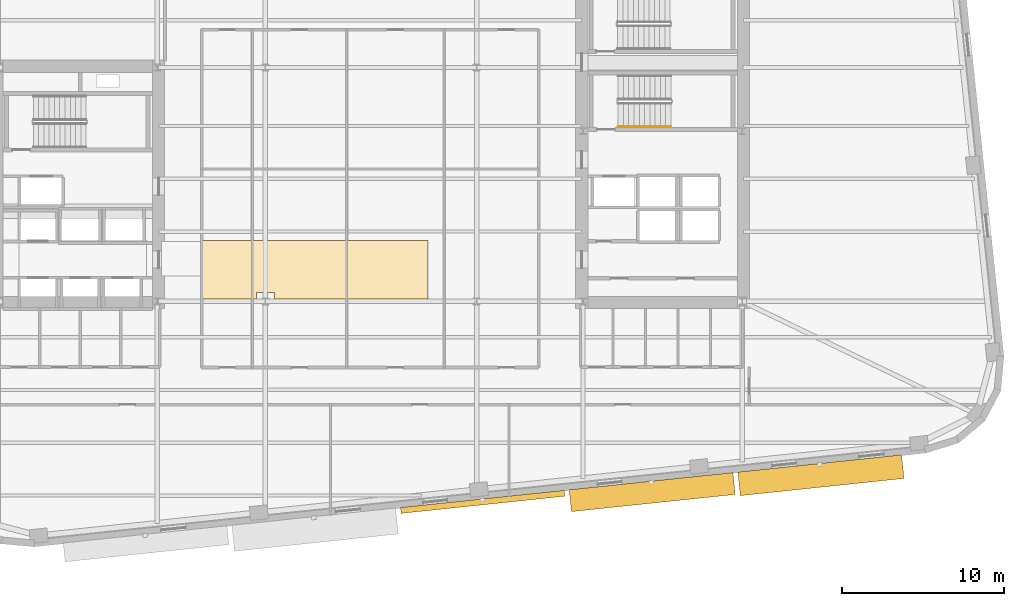
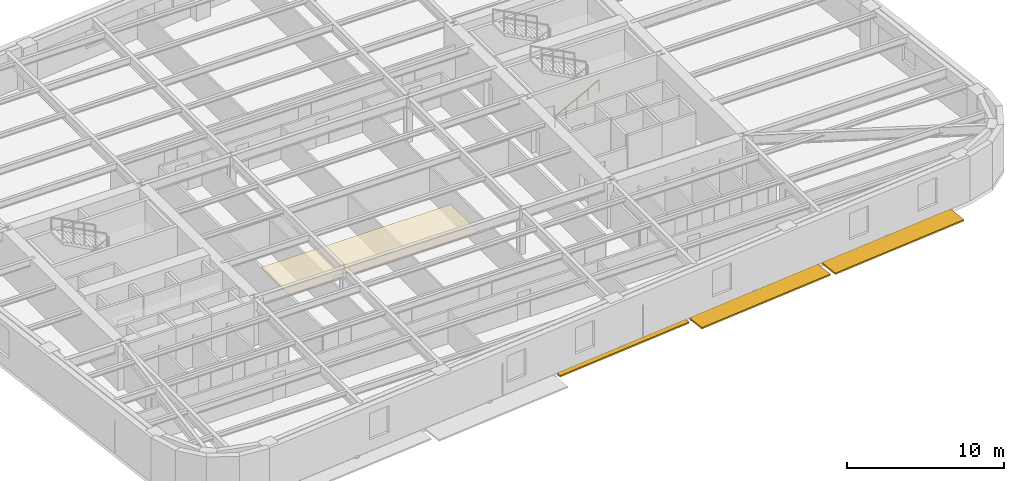
# One storey, part 10 of 12: 3 shading devices, 1 covering, 1 railing.
"""IFC4 building model written with IfcOpenShell, lengths in metres."""

from ifc_helpers import new_model, si_unit, direction, frame, origin, origin_2d, place, context, subcontext, project, spatial, polyline, rectangle, circle, outline, extrude, material, layer, layer_set, type_object, element, save


model = new_model("IFC4")

# Units and contexts
model_context = context("Model", 3, precision=1e-05, world=origin(), true_north=direction((0.0, 1.0)))
body_context = subcontext(model_context, "Body", "Model", "MODEL_VIEW")
ifc_project = project(units=[si_unit("LENGTHUNIT", "METRE"), si_unit("AREAUNIT", "SQUARE_METRE"), si_unit("VOLUMEUNIT", "CUBIC_METRE"), si_unit("PLANEANGLEUNIT", "RADIAN"), si_unit("MASSUNIT", "GRAM", prefix="KILO")], contexts=[model_context])

# Site, building, storey
site_placement = place(None, origin())
site = spatial("IfcSite", under=ifc_project, at=site_placement, CompositionType="ELEMENT")
building_placement = place(site_placement, origin())
building = spatial("IfcBuilding", under=site, at=building_placement, Name="Kolvaren Arena Tower", CompositionType="ELEMENT")
storey_placement = place(building_placement, frame((0.0, 0.0, 138.25)))
storey = spatial("IfcBuildingStorey", under=building, at=storey_placement, Name="L32", CompositionType="ELEMENT", Elevation=138.25)

# Covering
ifc_material_1 = material(Name="Mineral fibre acoustic ceiling tile", Category="gypsum")
ifc_layer = layer(ifc_material_1, 0.02490234375)
ifc_layer_set = layer_set([ifc_layer], Name="Mineral fibre acoustic ceiling tile")
covering_type = type_object("IfcCoveringType", Name="CEIL-ACT-1", PredefinedType="CEILING", material=ifc_layer_set)
covering_placement = place(storey_placement, frame((0.0, 0.0, 2.52001953125)))
element("IfcCovering", 1, at=covering_placement, inside=storey, type_object=covering_type, Name="Suspended Ceiling (L32)", PredefinedType="CEILING", context=body_context, shape_type="SweptSolid", body=[
    extrude(outline(polyline([(27.050048828125, 19.60009765625), (27.050048828125, 23.199951171875), (41.0, 23.199951171875), (41.0, 19.60009765625), (31.550048828125, 19.60009765625), (31.550048828125, 20.0), (30.449951171875, 20.0), (30.449951171875, 19.60009765625), (27.050048828125, 19.60009765625)])), origin(), (0.0, 0.0, 1.0), 0.02490234375),
])

# Railing
ifc_material_2 = material(Name="Brushed stainless steel handrail", Category="steel")
railing_type = type_object("IfcRailingType", Name="HRAIL-900", PredefinedType="HANDRAIL", material=ifc_material_2)
railing_placement = place(storey_placement, frame((52.719970703125, 30.199951171875, 0.17041015625)))
element("IfcRailing", 2, at=railing_placement, inside=storey, type_object=railing_type, Name="L32 ST-E1 stair handrail 1", PredefinedType="HANDRAIL", context=body_context, shape_type="SweptSolid", body=[
    extrude(circle(Radius=0.02392578125, at=origin_2d()), frame((0.0, 0.0, 0.8759765625), z_axis=(0.884993431791, 0.0, 0.465603506952), x_axis=(0.0, 1.0, 0.0)), (0.0, 0.0, 1.0), 3.6611328125),
    extrude(circle(Radius=0.02099609375, at=origin_2d()), origin(), (0.0, 0.0, 1.0), 0.851806640625),
    extrude(circle(Radius=0.02099609375, at=origin_2d()), frame((0.81005859375, 0.0, 0.42626953125)), (0.0, 0.0, 1.0), 0.851806640625),
    extrude(circle(Radius=0.02099609375, at=origin_2d()), frame((1.6201171875, 0.0, 0.852294921875)), (0.0, 0.0, 1.0), 0.851806640625),
    extrude(circle(Radius=0.02099609375, at=origin_2d()), frame((2.429931640625, 0.0, 1.2783203125)), (0.0, 0.0, 1.0), 0.851806640625),
    extrude(circle(Radius=0.02099609375, at=origin_2d()), frame((3.239990234375, 0.0, 1.70458984375)), (0.0, 0.0, 1.0), 0.851806640625),
])

# Shading devices
ifc_material_3 = material(Name="Architectural precast GFRC and anodised aluminium sunshade", Category="concrete")
shading_device_type_1 = type_object("IfcShadingDeviceType", Name="SHAD-SINE-A", PredefinedType="USERDEFINED", material=ifc_material_3)
shading_device_1_placement = place(storey_placement, frame((44.377685546875, 7.109619140625, -0.14013671875), z_axis=(0.0, 0.0, 1.0), x_axis=(-0.994522077803, -0.104526727499, 0.0)))
element("IfcShadingDevice", 3, at=shading_device_1_placement, inside=storey, type_object=shading_device_type_1, Name="Sinusoidal Slab-Edge Sunshade Louvre (L32)", ObjectType="LOUVRE", PredefinedType="USERDEFINED", context=body_context, shape_type="SweptSolid", body=[
    extrude(rectangle(XDim=10.139892578125, YDim=0.36669921875, at=origin_2d()), origin(), (0.0, 0.0, 1.0), 0.1201171875),
])
shading_device_type_2 = type_object("IfcShadingDeviceType", Name="SHAD-SINE-B", PredefinedType="JALOUSIE", material=ifc_material_3)
shading_device_2_placement = place(storey_placement, frame((65.200439453125, 8.747802734375, -0.14013671875), z_axis=(0.0, 0.0, 1.0), x_axis=(-0.994522077803, -0.104526727499, 0.0)))
element("IfcShadingDevice", 4, at=shading_device_2_placement, inside=storey, type_object=shading_device_type_2, Name="Sinusoidal Slab-Edge Sunshade Louvre (L32)", PredefinedType="JALOUSIE", context=body_context, shape_type="SweptSolid", body=[
    extrude(rectangle(XDim=10.139892578125, YDim=1.461181640625, at=origin_2d()), origin(), (0.0, 0.0, 1.0), 0.1201171875),
])
shading_device_3_placement = place(storey_placement, frame((54.812255859375, 7.70947265625, -0.14013671875), z_axis=(0.0, 0.0, 1.0), x_axis=(-0.994522077803, -0.104526727499, 0.0)))
element("IfcShadingDevice", 5, at=shading_device_3_placement, inside=storey, type_object=shading_device_type_2, Name="Sinusoidal Slab-Edge Sunshade Louvre (L32)", PredefinedType="JALOUSIE", context=body_context, shape_type="SweptSolid", body=[
    extrude(rectangle(XDim=10.139892578125, YDim=1.35498046875, at=origin_2d()), origin(), (0.0, 0.0, 1.0), 0.1201171875),
])

save(model, "model.ifc")
